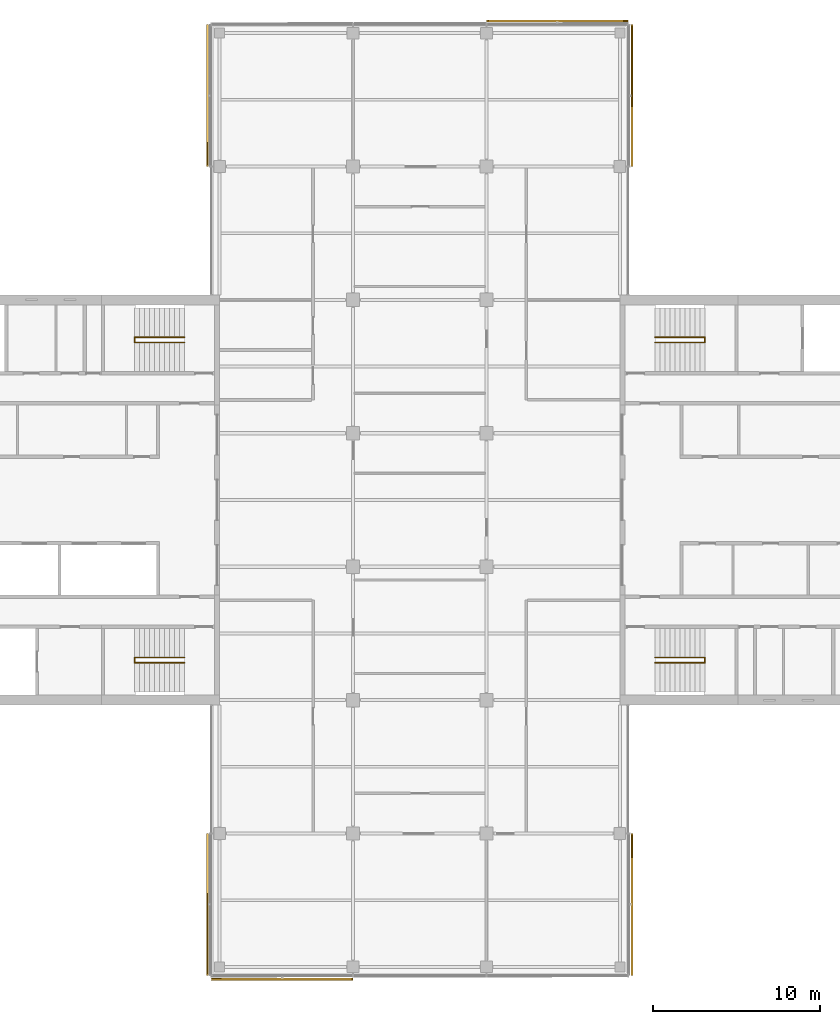
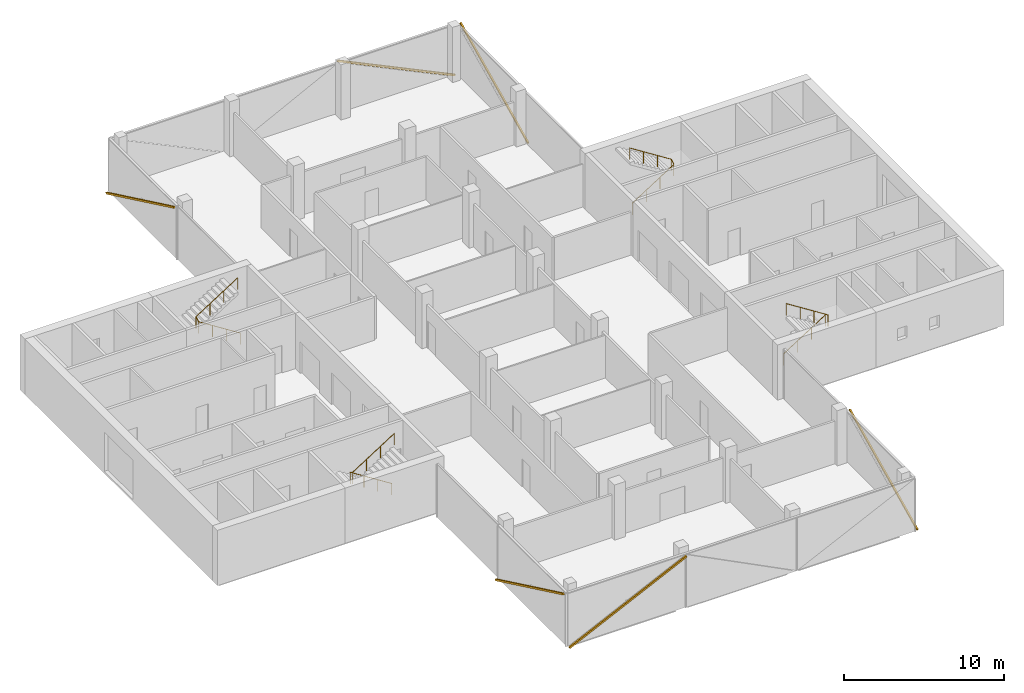
# One storey, part 15 of 15: 6 shading devices, 4 railings, 6 elements without a shape of their own.
"""IFC4 building model written with IfcOpenShell, lengths in metres."""

from ifc_helpers import new_model, si_unit, direction, frame, origin, origin_2d, place, context, subcontext, project, spatial, rectangle, circle, extrude, material, material_profile, profile_set, type_object, element, aggregate, save


model = new_model("IFC4")

# Units and contexts
model_context = context("Model", 3, precision=1e-05, world=origin(), true_north=direction((0.0, 1.0)))
body_context = subcontext(model_context, "Body", "Model", "MODEL_VIEW")
ifc_project = project(units=[si_unit("LENGTHUNIT", "METRE"), si_unit("AREAUNIT", "SQUARE_METRE"), si_unit("VOLUMEUNIT", "CUBIC_METRE"), si_unit("PLANEANGLEUNIT", "RADIAN"), si_unit("MASSUNIT", "GRAM", prefix="KILO")], contexts=[model_context])

# Site, building, storey
site_placement = place(None, origin())
site = spatial("IfcSite", under=ifc_project, at=site_placement, CompositionType="ELEMENT")
building_placement = place(site_placement, origin())
building = spatial("IfcBuilding", under=site, at=building_placement, Name="Crosswind Convention Tower", CompositionType="ELEMENT")
storey_placement = place(building_placement, frame((0.0, 0.0, 233.5)))
storey = spatial("IfcBuildingStorey", under=building, at=storey_placement, Name="L50", CompositionType="ELEMENT", Elevation=233.5)

# Railings
ifc_material_1 = material(Name="Stainless steel", Category="steel")
railing_type = type_object("IfcRailingType", Name="Stair handrail 900", PredefinedType="HANDRAIL", material=ifc_material_1)
railing_1_placement = place(storey_placement, frame((139.10009765625, 109.43994140625, 0.19091796875)))
element("IfcRailing", 1, at=railing_1_placement, inside=storey, type_object=railing_type, Name="Stair ST1 handrail L50", PredefinedType="HANDRAIL", context=body_context, shape_type="SweptSolid", body=[
    extrude(circle(Radius=0.02392578125, at=origin_2d()), frame((0.0, 0.0, 0.8759765625), z_axis=(0.843650179428, 0.0, 0.536893261973), x_axis=(0.0, 1.0, 0.0)), (0.0, 0.0, 1.0), 3.555908203125),
    extrude(circle(Radius=0.02392578125, at=origin_2d()), frame((3.0, 0.0, 2.78515625), z_axis=(0.0, 0.858819504967, 0.512278301208), x_axis=(-1.0, 0.0, 0.0)), (0.0, 0.0, 1.0), 0.372802734375),
    extrude(circle(Radius=0.02392578125, at=origin_2d()), frame((3.0, 0.320068359375, 2.97607421875), z_axis=(-0.843681277094, 0.0, 0.536844393359), x_axis=(0.0, -1.0, 0.0)), (0.0, 0.0, 1.0), 3.555908203125),
    extrude(circle(Radius=0.02099609375, at=origin_2d()), origin(), (0.0, 0.0, 1.0), 0.851806640625),
    extrude(circle(Radius=0.02099609375, at=origin_2d()), frame((1.0, 0.0, 0.636474609375)), (0.0, 0.0, 1.0), 0.851806640625),
    extrude(circle(Radius=0.02099609375, at=origin_2d()), frame((2.0, 0.0, 1.272705078125)), (0.0, 0.0, 1.0), 0.851806640625),
    extrude(circle(Radius=0.02099609375, at=origin_2d()), frame((3.0, 0.0, 1.9091796875)), (0.0, 0.0, 1.0), 0.851806640625),
    extrude(circle(Radius=0.02099609375, at=origin_2d()), frame((3.0, 0.320068359375, 2.10009765625)), (0.0, 0.0, 1.0), 0.851806640625),
    extrude(circle(Radius=0.02099609375, at=origin_2d()), frame((2.0, 0.320068359375, 2.736328125)), (0.0, 0.0, 1.0), 0.851806640625),
    extrude(circle(Radius=0.02099609375, at=origin_2d()), frame((1.0, 0.320068359375, 3.372802734375)), (0.0, 0.0, 1.0), 0.851806640625),
    extrude(circle(Radius=0.02099609375, at=origin_2d()), frame((0.0, 0.320068359375, 4.009033203125)), (0.0, 0.0, 1.0), 0.851806640625),
])
railing_2_placement = place(storey_placement, frame((139.10009765625, 90.56005859375, 0.19091796875)))
element("IfcRailing", 2, at=railing_2_placement, inside=storey, type_object=railing_type, Name="Stair ST2 handrail L50", PredefinedType="HANDRAIL", context=body_context, shape_type="SweptSolid", body=[
    extrude(circle(Radius=0.02392578125, at=origin_2d()), frame((0.0, 0.0, 0.8759765625), z_axis=(0.843650179428, 0.0, 0.536893261973), x_axis=(0.0, 1.0, 0.0)), (0.0, 0.0, 1.0), 3.555908203125),
    extrude(circle(Radius=0.02392578125, at=origin_2d()), frame((3.0, 0.0, 2.78515625), z_axis=(0.0, -0.858819504967, 0.512278301208), x_axis=(1.0, 0.0, 0.0)), (0.0, 0.0, 1.0), 0.372802734375),
    extrude(circle(Radius=0.02392578125, at=origin_2d()), frame((3.0, -0.320068359375, 2.97607421875), z_axis=(-0.843681277094, 0.0, 0.536844393359), x_axis=(0.0, -1.0, 0.0)), (0.0, 0.0, 1.0), 3.555908203125),
    extrude(circle(Radius=0.02099609375, at=origin_2d()), origin(), (0.0, 0.0, 1.0), 0.851806640625),
    extrude(circle(Radius=0.02099609375, at=origin_2d()), frame((1.0, 0.0, 0.636474609375)), (0.0, 0.0, 1.0), 0.851806640625),
    extrude(circle(Radius=0.02099609375, at=origin_2d()), frame((2.0, 0.0, 1.272705078125)), (0.0, 0.0, 1.0), 0.851806640625),
    extrude(circle(Radius=0.02099609375, at=origin_2d()), frame((3.0, 0.0, 1.9091796875)), (0.0, 0.0, 1.0), 0.851806640625),
    extrude(circle(Radius=0.02099609375, at=origin_2d()), frame((3.0, -0.320068359375, 2.10009765625)), (0.0, 0.0, 1.0), 0.851806640625),
    extrude(circle(Radius=0.02099609375, at=origin_2d()), frame((2.0, -0.320068359375, 2.736328125)), (0.0, 0.0, 1.0), 0.851806640625),
    extrude(circle(Radius=0.02099609375, at=origin_2d()), frame((1.0, -0.320068359375, 3.372802734375)), (0.0, 0.0, 1.0), 0.851806640625),
    extrude(circle(Radius=0.02099609375, at=origin_2d()), frame((0.0, -0.320068359375, 4.009033203125)), (0.0, 0.0, 1.0), 0.851806640625),
])
railing_3_placement = place(storey_placement, frame((110.89990234375, 90.56005859375, 0.19091796875)))
element("IfcRailing", 3, at=railing_3_placement, inside=storey, type_object=railing_type, Name="Stair ST3 handrail L50", PredefinedType="HANDRAIL", context=body_context, shape_type="SweptSolid", body=[
    extrude(circle(Radius=0.02392578125, at=origin_2d()), frame((0.0, 0.0, 0.8759765625), z_axis=(-0.843650179428, 0.0, 0.536893261973), x_axis=(0.0, -1.0, 0.0)), (0.0, 0.0, 1.0), 3.555908203125),
    extrude(circle(Radius=0.02392578125, at=origin_2d()), frame((-3.0, 0.0, 2.78515625), z_axis=(0.0, -0.858819504967, 0.512278301208), x_axis=(1.0, 0.0, 0.0)), (0.0, 0.0, 1.0), 0.372802734375),
    extrude(circle(Radius=0.02392578125, at=origin_2d()), frame((-3.0, -0.320068359375, 2.97607421875), z_axis=(0.843681277094, 0.0, 0.536844393359), x_axis=(0.0, 1.0, 0.0)), (0.0, 0.0, 1.0), 3.555908203125),
    extrude(circle(Radius=0.02099609375, at=origin_2d()), origin(), (0.0, 0.0, 1.0), 0.851806640625),
    extrude(circle(Radius=0.02099609375, at=origin_2d()), frame((-1.0, 0.0, 0.636474609375)), (0.0, 0.0, 1.0), 0.851806640625),
    extrude(circle(Radius=0.02099609375, at=origin_2d()), frame((-2.0, 0.0, 1.272705078125)), (0.0, 0.0, 1.0), 0.851806640625),
    extrude(circle(Radius=0.02099609375, at=origin_2d()), frame((-3.0, 0.0, 1.9091796875)), (0.0, 0.0, 1.0), 0.851806640625),
    extrude(circle(Radius=0.02099609375, at=origin_2d()), frame((-3.0, -0.320068359375, 2.10009765625)), (0.0, 0.0, 1.0), 0.851806640625),
    extrude(circle(Radius=0.02099609375, at=origin_2d()), frame((-2.0, -0.320068359375, 2.736328125)), (0.0, 0.0, 1.0), 0.851806640625),
    extrude(circle(Radius=0.02099609375, at=origin_2d()), frame((-1.0, -0.320068359375, 3.372802734375)), (0.0, 0.0, 1.0), 0.851806640625),
    extrude(circle(Radius=0.02099609375, at=origin_2d()), frame((0.0, -0.320068359375, 4.009033203125)), (0.0, 0.0, 1.0), 0.851806640625),
])
railing_4_placement = place(storey_placement, frame((110.89990234375, 109.43994140625, 0.19091796875)))
element("IfcRailing", 4, at=railing_4_placement, inside=storey, type_object=railing_type, Name="Stair ST4 handrail L50", PredefinedType="HANDRAIL", context=body_context, shape_type="SweptSolid", body=[
    extrude(circle(Radius=0.02392578125, at=origin_2d()), frame((0.0, 0.0, 0.8759765625), z_axis=(-0.843650179428, 0.0, 0.536893261973), x_axis=(0.0, -1.0, 0.0)), (0.0, 0.0, 1.0), 3.555908203125),
    extrude(circle(Radius=0.02392578125, at=origin_2d()), frame((-3.0, 0.0, 2.78515625), z_axis=(0.0, 0.858819504967, 0.512278301208), x_axis=(-1.0, 0.0, 0.0)), (0.0, 0.0, 1.0), 0.372802734375),
    extrude(circle(Radius=0.02392578125, at=origin_2d()), frame((-3.0, 0.320068359375, 2.97607421875), z_axis=(0.843681277094, 0.0, 0.536844393359), x_axis=(0.0, 1.0, 0.0)), (0.0, 0.0, 1.0), 3.555908203125),
    extrude(circle(Radius=0.02099609375, at=origin_2d()), origin(), (0.0, 0.0, 1.0), 0.851806640625),
    extrude(circle(Radius=0.02099609375, at=origin_2d()), frame((-1.0, 0.0, 0.636474609375)), (0.0, 0.0, 1.0), 0.851806640625),
    extrude(circle(Radius=0.02099609375, at=origin_2d()), frame((-2.0, 0.0, 1.272705078125)), (0.0, 0.0, 1.0), 0.851806640625),
    extrude(circle(Radius=0.02099609375, at=origin_2d()), frame((-3.0, 0.0, 1.9091796875)), (0.0, 0.0, 1.0), 0.851806640625),
    extrude(circle(Radius=0.02099609375, at=origin_2d()), frame((-3.0, 0.320068359375, 2.10009765625)), (0.0, 0.0, 1.0), 0.851806640625),
    extrude(circle(Radius=0.02099609375, at=origin_2d()), frame((-2.0, 0.320068359375, 2.736328125)), (0.0, 0.0, 1.0), 0.851806640625),
    extrude(circle(Radius=0.02099609375, at=origin_2d()), frame((-1.0, 0.320068359375, 3.372802734375)), (0.0, 0.0, 1.0), 0.851806640625),
    extrude(circle(Radius=0.02099609375, at=origin_2d()), frame((0.0, 0.320068359375, 4.009033203125)), (0.0, 0.0, 1.0), 0.851806640625),
])

# Curtain wall, shading device
ifc_material_2 = material(Name="Aluminium unitised curtain wall", Category="aluminium")
curtain_wall_type = type_object("IfcCurtainWallType", Name="OFFICE UNITISED WALL 220", PredefinedType="USERDEFINED", material=ifc_material_2)
curtain_wall_1_placement = place(storey_placement, origin())
curtain_wall_1 = element("IfcCurtainWall", 5, at=curtain_wall_1_placement, inside=storey, type_object=curtain_wall_type, Name="CW3 L50 N-E 1", ObjectType="UNITISED", PredefinedType="USERDEFINED")
ifc_material_3 = material(Name="Extruded terracotta", Category="masonry")
ifc_material_profile = material_profile(ifc_material_3, rectangle(XDim=0.110107421875, YDim=0.1298828125, at=origin_2d()), Name="TC 110X130")
ifc_profile_set = profile_set([ifc_material_profile], Name="Extruded terracotta")
shading_device_type = type_object("IfcShadingDeviceType", Name="TERRACOTTA BAGUETTE 130X110", PredefinedType="USERDEFINED", material=ifc_profile_set)
shading_device_1_placement = place(storey_placement, frame((137.73095703125, 120.034912109375, -0.300048828125), z_axis=(0.0, 0.902407920922, 0.430882750012), x_axis=(-1.0, 0.0, 0.0)))
shading_device_1 = element("IfcShadingDevice", 6, at=shading_device_1_placement, type_object=shading_device_type, Name="CW3 terracotta baguette 1", ObjectType="BAGUETTE", PredefinedType="USERDEFINED", context=body_context, shape_type="SweptSolid", body=[
    extrude(rectangle(XDim=0.110107421875, YDim=0.1298828125, at=origin_2d()), origin(), (0.0, 0.0, 1.0), 9.35302734375),
])
aggregate(curtain_wall_1, [shading_device_1])

curtain_wall_2_placement = place(storey_placement, origin())
curtain_wall_2 = element("IfcCurtainWall", 7, at=curtain_wall_2_placement, inside=storey, type_object=curtain_wall_type, Name="CW3 L50 N-TIP 1", ObjectType="UNITISED", PredefinedType="USERDEFINED")
shading_device_2_placement = place(storey_placement, frame((137.47509765625, 128.73095703125, -0.300048828125), z_axis=(-0.902407920922, 0.0, 0.430882750012), x_axis=(0.0, -1.0, 0.0)))
shading_device_2 = element("IfcShadingDevice", 8, at=shading_device_2_placement, type_object=shading_device_type, Name="CW3 terracotta baguette 1", ObjectType="BAGUETTE", PredefinedType="USERDEFINED", context=body_context, shape_type="SweptSolid", body=[
    extrude(rectangle(XDim=0.110107421875, YDim=0.1298828125, at=origin_2d()), origin(), (0.0, 0.0, 1.0), 9.35302734375),
])
aggregate(curtain_wall_2, [shading_device_2])

curtain_wall_3_placement = place(storey_placement, origin())
curtain_wall_3 = element("IfcCurtainWall", 9, at=curtain_wall_3_placement, inside=storey, type_object=curtain_wall_type, Name="CW3 L50 N-W 1", ObjectType="UNITISED", PredefinedType="USERDEFINED")
shading_device_3_placement = place(storey_placement, frame((112.26904296875, 128.47509765625, -0.300048828125), z_axis=(0.0, -0.902407920922, 0.430882750012), x_axis=(1.0, 0.0, 0.0)))
shading_device_3 = element("IfcShadingDevice", 10, at=shading_device_3_placement, type_object=shading_device_type, Name="CW3 terracotta baguette 1", ObjectType="BAGUETTE", PredefinedType="USERDEFINED", context=body_context, shape_type="SweptSolid", body=[
    extrude(rectangle(XDim=0.110107421875, YDim=0.1298828125, at=origin_2d()), origin(), (0.0, 0.0, 1.0), 9.35302734375),
])
aggregate(curtain_wall_3, [shading_device_3])

curtain_wall_4_placement = place(storey_placement, origin())
curtain_wall_4 = element("IfcCurtainWall", 11, at=curtain_wall_4_placement, inside=storey, type_object=curtain_wall_type, Name="CW3 L50 S-W 1", ObjectType="UNITISED", PredefinedType="USERDEFINED")
shading_device_4_placement = place(storey_placement, frame((112.26904296875, 79.965087890625, -0.300048828125), z_axis=(0.0, -0.902407920922, 0.430882750012), x_axis=(1.0, 0.0, 0.0)))
shading_device_4 = element("IfcShadingDevice", 12, at=shading_device_4_placement, type_object=shading_device_type, Name="CW3 terracotta baguette 1", ObjectType="BAGUETTE", PredefinedType="USERDEFINED", context=body_context, shape_type="SweptSolid", body=[
    extrude(rectangle(XDim=0.110107421875, YDim=0.1298828125, at=origin_2d()), origin(), (0.0, 0.0, 1.0), 9.35302734375),
])
aggregate(curtain_wall_4, [shading_device_4])

curtain_wall_5_placement = place(storey_placement, origin())
curtain_wall_5 = element("IfcCurtainWall", 13, at=curtain_wall_5_placement, inside=storey, type_object=curtain_wall_type, Name="CW3 L50 S-TIP 1", ObjectType="UNITISED", PredefinedType="USERDEFINED")
shading_device_5_placement = place(storey_placement, frame((112.52490234375, 71.26904296875, -0.300048828125), z_axis=(0.902407920922, 0.0, 0.430882750012), x_axis=(0.0, 1.0, 0.0)))
shading_device_5 = element("IfcShadingDevice", 14, at=shading_device_5_placement, type_object=shading_device_type, Name="CW3 terracotta baguette 1", ObjectType="BAGUETTE", PredefinedType="USERDEFINED", context=body_context, shape_type="SweptSolid", body=[
    extrude(rectangle(XDim=0.110107421875, YDim=0.1298828125, at=origin_2d()), origin(), (0.0, 0.0, 1.0), 9.35302734375),
])
aggregate(curtain_wall_5, [shading_device_5])

curtain_wall_6_placement = place(storey_placement, origin())
curtain_wall_6 = element("IfcCurtainWall", 15, at=curtain_wall_6_placement, inside=storey, type_object=curtain_wall_type, Name="CW3 L50 S-E 1", ObjectType="UNITISED", PredefinedType="USERDEFINED")
shading_device_6_placement = place(storey_placement, frame((137.73095703125, 71.52490234375, -0.300048828125), z_axis=(0.0, 0.902407920922, 0.430882750012), x_axis=(-1.0, 0.0, 0.0)))
shading_device_6 = element("IfcShadingDevice", 16, at=shading_device_6_placement, type_object=shading_device_type, Name="CW3 terracotta baguette 1", ObjectType="BAGUETTE", PredefinedType="USERDEFINED", context=body_context, shape_type="SweptSolid", body=[
    extrude(rectangle(XDim=0.110107421875, YDim=0.1298828125, at=origin_2d()), origin(), (0.0, 0.0, 1.0), 9.35302734375),
])
aggregate(curtain_wall_6, [shading_device_6])

save(model, "model.ifc")
